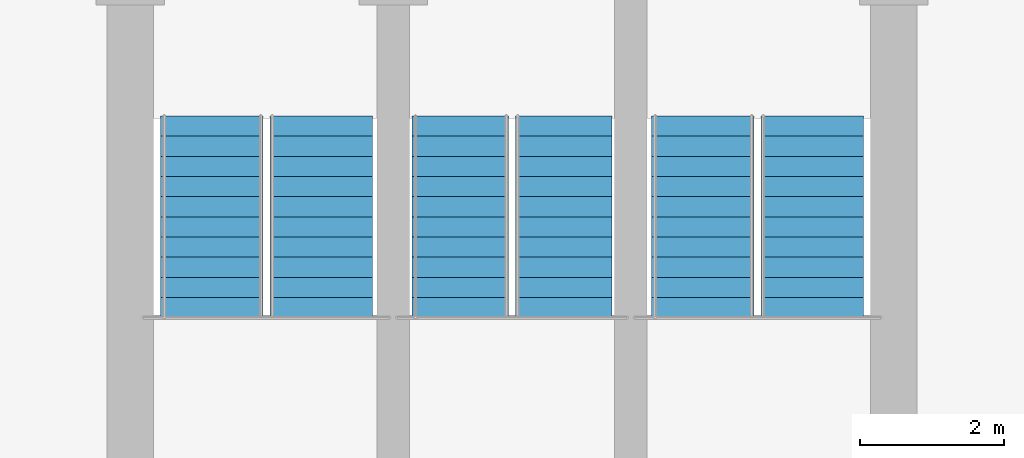
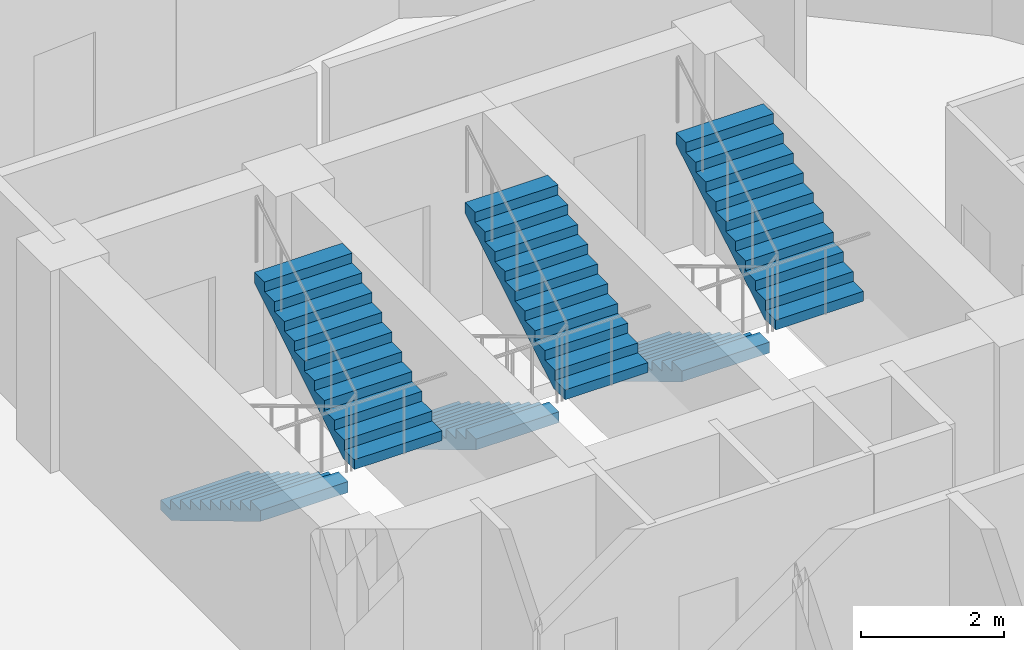
# One storey, part 25 of 26: 6 stair flights, 3 elements without a shape of their own.
"""IFC4 building model written with IfcOpenShell, lengths in metres."""

from ifc_helpers import new_model, si_unit, direction, frame, origin, place, context, subcontext, project, spatial, polyline, outline, extrude, material, type_object, element, aggregate, save


model = new_model("IFC4")

# Units and contexts
model_context = context("Model", 3, precision=1e-05, world=origin(), true_north=direction((0.0, 1.0)))
body_context = subcontext(model_context, "Body", "Model", "MODEL_VIEW")
ifc_project = project(units=[si_unit("LENGTHUNIT", "METRE"), si_unit("AREAUNIT", "SQUARE_METRE"), si_unit("VOLUMEUNIT", "CUBIC_METRE"), si_unit("PLANEANGLEUNIT", "RADIAN"), si_unit("MASSUNIT", "GRAM", prefix="KILO")], contexts=[model_context])

# Site, building, storey
site_placement = place(None, origin())
site = spatial("IfcSite", under=ifc_project, at=site_placement, CompositionType="ELEMENT")
building_placement = place(site_placement, origin())
building = spatial("IfcBuilding", under=site, at=building_placement, Name="Nuhasar Tower", CompositionType="ELEMENT")
storey_placement = place(building_placement, frame((0.0, 0.0, 170.050048828125)))
storey = spatial("IfcBuildingStorey", under=building, at=storey_placement, Name="L41", CompositionType="ELEMENT", Elevation=170.050048828125)

# Stair, stair flights
ifc_material = material(Name="Concrete C45/55", Category="concrete")
stair_type_1 = type_object("IfcStairType", Name="STR-ST-01-2F-22R-1682", PredefinedType="HALF_TURN_STAIR", material=ifc_material)
stair_1_placement = place(storey_placement, origin())
stair_1 = element("IfcStair", 1, at=stair_1_placement, inside=storey, type_object=stair_type_1, Name="L41 Exit Stair ST-01", PredefinedType="HALF_TURN_STAIR")
stair_flight_type_1 = type_object("IfcStairFlightType", Name="SFL-ST-01-11R-1682", PredefinedType="STRAIGHT", material=ifc_material)
stair_flight_1_placement = place(storey_placement, frame((34.830078125, 35.284912109375, 0.0), z_axis=(0.0, 0.0, 1.0), x_axis=(0.0, -1.0, 0.0)))
stair_flight_1 = element("IfcStairFlight", 2, at=stair_flight_1_placement, type_object=stair_flight_type_1, Name="ST-01 flight 1", NumberOfRisers=11, NumberOfTreads=10, PredefinedType="STRAIGHT", RiserHeight=0.168182, TreadLength=0.28, context=body_context, shape_type="SweptSolid", body=[
    extrude(outline(polyline([(0.0, 0.0), (0.0, 0.168212890625), (0.280029296875, 0.168212890625), (0.280029296875, 0.33642578125), (0.56005859375, 0.33642578125), (0.56005859375, 0.504638671875), (0.840087890625, 0.504638671875), (0.840087890625, 0.672607421875), (1.1201171875, 0.672607421875), (1.1201171875, 0.8408203125), (1.39990234375, 0.8408203125), (1.39990234375, 1.009033203125), (1.679931640625, 1.009033203125), (1.679931640625, 1.17724609375), (1.9599609375, 1.17724609375), (1.9599609375, 1.345458984375), (2.239990234375, 1.345458984375), (2.239990234375, 1.513671875), (2.52001953125, 1.513671875), (2.52001953125, 1.681884765625), (2.800048828125, 1.681884765625), (2.800048828125, 1.85009765625), (2.800048828125, 1.495361328125), (0.310546875, 0.0), (0.0, 0.0)])), frame((0.0, 0.7099609375, 0.0), z_axis=(0.0, -1.0, 0.0), x_axis=(1.0, 0.0, 0.0)), (0.0, 0.0, 1.0), 1.419921875),
])
stair_flight_2_placement = place(storey_placement, frame((36.35009765625, 32.485107421875, 1.849853515625), z_axis=(0.0, 0.0, 1.0), x_axis=(0.0, 1.0, 0.0)))
stair_flight_2 = element("IfcStairFlight", 3, at=stair_flight_2_placement, type_object=stair_flight_type_1, Name="ST-01 flight 2", NumberOfRisers=11, NumberOfTreads=10, PredefinedType="STRAIGHT", RiserHeight=0.168182, TreadLength=0.28, context=body_context, shape_type="SweptSolid", body=[
    extrude(outline(polyline([(0.0, 0.0), (0.0, 0.168212890625), (0.280029296875, 0.168212890625), (0.280029296875, 0.33642578125), (0.56005859375, 0.33642578125), (0.56005859375, 0.504638671875), (0.840087890625, 0.504638671875), (0.840087890625, 0.672607421875), (1.1201171875, 0.672607421875), (1.1201171875, 0.8408203125), (1.39990234375, 0.8408203125), (1.39990234375, 1.009033203125), (1.679931640625, 1.009033203125), (1.679931640625, 1.17724609375), (1.9599609375, 1.17724609375), (1.9599609375, 1.345458984375), (2.239990234375, 1.345458984375), (2.239990234375, 1.513671875), (2.52001953125, 1.513671875), (2.52001953125, 1.681884765625), (2.800048828125, 1.681884765625), (2.800048828125, 1.85009765625), (2.800048828125, 1.495361328125), (0.310546875, 0.0), (0.0, 0.0)])), frame((0.0, 0.7099609375, 0.0), z_axis=(0.0, -1.0, 0.0), x_axis=(1.0, 0.0, 0.0)), (0.0, 0.0, 1.0), 1.419921875),
])
aggregate(stair_1, [stair_flight_1, stair_flight_2])

stair_type_2 = type_object("IfcStairType", Name="STR-ST-02-2F-22R-1682", PredefinedType="HALF_TURN_STAIR", material=ifc_material)
stair_2_placement = place(storey_placement, origin())
stair_2 = element("IfcStair", 4, at=stair_2_placement, inside=storey, type_object=stair_type_2, Name="L41 Exit Stair ST-02", PredefinedType="HALF_TURN_STAIR")
stair_flight_type_2 = type_object("IfcStairFlightType", Name="SFL-ST-02-11R-1682", PredefinedType="STRAIGHT", material=ifc_material)
stair_flight_3_placement = place(storey_placement, frame((41.64990234375, 35.284912109375, 0.0), z_axis=(0.0, 0.0, 1.0), x_axis=(0.0, -1.0, 0.0)))
stair_flight_3 = element("IfcStairFlight", 5, at=stair_flight_3_placement, type_object=stair_flight_type_2, Name="ST-02 flight 1", NumberOfRisers=11, NumberOfTreads=10, PredefinedType="STRAIGHT", RiserHeight=0.168182, TreadLength=0.28, context=body_context, shape_type="SweptSolid", body=[
    extrude(outline(polyline([(0.0, 0.0), (0.0, 0.168212890625), (0.280029296875, 0.168212890625), (0.280029296875, 0.33642578125), (0.56005859375, 0.33642578125), (0.56005859375, 0.504638671875), (0.840087890625, 0.504638671875), (0.840087890625, 0.672607421875), (1.1201171875, 0.672607421875), (1.1201171875, 0.8408203125), (1.39990234375, 0.8408203125), (1.39990234375, 1.009033203125), (1.679931640625, 1.009033203125), (1.679931640625, 1.17724609375), (1.9599609375, 1.17724609375), (1.9599609375, 1.345458984375), (2.239990234375, 1.345458984375), (2.239990234375, 1.513671875), (2.52001953125, 1.513671875), (2.52001953125, 1.681884765625), (2.800048828125, 1.681884765625), (2.800048828125, 1.85009765625), (2.800048828125, 1.495361328125), (0.310546875, 0.0), (0.0, 0.0)])), frame((0.0, 0.7099609375, 0.0), z_axis=(0.0, -1.0, 0.0), x_axis=(1.0, 0.0, 0.0)), (0.0, 0.0, 1.0), 1.419921875),
])
stair_flight_4_placement = place(storey_placement, frame((43.169921875, 32.485107421875, 1.849853515625), z_axis=(0.0, 0.0, 1.0), x_axis=(0.0, 1.0, 0.0)))
stair_flight_4 = element("IfcStairFlight", 6, at=stair_flight_4_placement, type_object=stair_flight_type_2, Name="ST-02 flight 2", NumberOfRisers=11, NumberOfTreads=10, PredefinedType="STRAIGHT", RiserHeight=0.168182, TreadLength=0.28, context=body_context, shape_type="SweptSolid", body=[
    extrude(outline(polyline([(0.0, 0.0), (0.0, 0.168212890625), (0.280029296875, 0.168212890625), (0.280029296875, 0.33642578125), (0.56005859375, 0.33642578125), (0.56005859375, 0.504638671875), (0.840087890625, 0.504638671875), (0.840087890625, 0.672607421875), (1.1201171875, 0.672607421875), (1.1201171875, 0.8408203125), (1.39990234375, 0.8408203125), (1.39990234375, 1.009033203125), (1.679931640625, 1.009033203125), (1.679931640625, 1.17724609375), (1.9599609375, 1.17724609375), (1.9599609375, 1.345458984375), (2.239990234375, 1.345458984375), (2.239990234375, 1.513671875), (2.52001953125, 1.513671875), (2.52001953125, 1.681884765625), (2.800048828125, 1.681884765625), (2.800048828125, 1.85009765625), (2.800048828125, 1.495361328125), (0.310546875, 0.0), (0.0, 0.0)])), frame((0.0, 0.7099609375, 0.0), z_axis=(0.0, -1.0, 0.0), x_axis=(1.0, 0.0, 0.0)), (0.0, 0.0, 1.0), 1.419921875),
])
aggregate(stair_2, [stair_flight_3, stair_flight_4])

stair_type_3 = type_object("IfcStairType", Name="STR-ST-03-2F-22R-1682", PredefinedType="HALF_TURN_STAIR", material=ifc_material)
stair_3_placement = place(storey_placement, origin())
stair_3 = element("IfcStair", 7, at=stair_3_placement, inside=storey, type_object=stair_type_3, Name="L41 Exit Stair ST-03", PredefinedType="HALF_TURN_STAIR")
stair_flight_type_3 = type_object("IfcStairFlightType", Name="SFL-ST-03-11R-1682", PredefinedType="STRAIGHT", material=ifc_material)
stair_flight_5_placement = place(storey_placement, frame((38.280029296875, 35.284912109375, 0.0), z_axis=(0.0, 0.0, 1.0), x_axis=(0.0, -1.0, 0.0)))
stair_flight_5 = element("IfcStairFlight", 8, at=stair_flight_5_placement, type_object=stair_flight_type_3, Name="ST-03 flight 1", NumberOfRisers=11, NumberOfTreads=10, PredefinedType="STRAIGHT", RiserHeight=0.168182, TreadLength=0.28, context=body_context, shape_type="SweptSolid", body=[
    extrude(outline(polyline([(0.0, 0.0), (0.0, 0.168212890625), (0.280029296875, 0.168212890625), (0.280029296875, 0.33642578125), (0.56005859375, 0.33642578125), (0.56005859375, 0.504638671875), (0.840087890625, 0.504638671875), (0.840087890625, 0.672607421875), (1.1201171875, 0.672607421875), (1.1201171875, 0.8408203125), (1.39990234375, 0.8408203125), (1.39990234375, 1.009033203125), (1.679931640625, 1.009033203125), (1.679931640625, 1.17724609375), (1.9599609375, 1.17724609375), (1.9599609375, 1.345458984375), (2.239990234375, 1.345458984375), (2.239990234375, 1.513671875), (2.52001953125, 1.513671875), (2.52001953125, 1.681884765625), (2.800048828125, 1.681884765625), (2.800048828125, 1.85009765625), (2.800048828125, 1.495361328125), (0.310546875, 0.0), (0.0, 0.0)])), frame((0.0, 0.669921875, 0.0), z_axis=(0.0, -1.0, 0.0), x_axis=(1.0, 0.0, 0.0)), (0.0, 0.0, 1.0), 1.340087890625),
])
stair_flight_6_placement = place(storey_placement, frame((39.719970703125, 32.485107421875, 1.849853515625), z_axis=(0.0, 0.0, 1.0), x_axis=(0.0, 1.0, 0.0)))
stair_flight_6 = element("IfcStairFlight", 9, at=stair_flight_6_placement, type_object=stair_flight_type_3, Name="ST-03 flight 2", NumberOfRisers=11, NumberOfTreads=10, PredefinedType="STRAIGHT", RiserHeight=0.168182, TreadLength=0.28, context=body_context, shape_type="SweptSolid", body=[
    extrude(outline(polyline([(0.0, 0.0), (0.0, 0.168212890625), (0.280029296875, 0.168212890625), (0.280029296875, 0.33642578125), (0.56005859375, 0.33642578125), (0.56005859375, 0.504638671875), (0.840087890625, 0.504638671875), (0.840087890625, 0.672607421875), (1.1201171875, 0.672607421875), (1.1201171875, 0.8408203125), (1.39990234375, 0.8408203125), (1.39990234375, 1.009033203125), (1.679931640625, 1.009033203125), (1.679931640625, 1.17724609375), (1.9599609375, 1.17724609375), (1.9599609375, 1.345458984375), (2.239990234375, 1.345458984375), (2.239990234375, 1.513671875), (2.52001953125, 1.513671875), (2.52001953125, 1.681884765625), (2.800048828125, 1.681884765625), (2.800048828125, 1.85009765625), (2.800048828125, 1.495361328125), (0.310546875, 0.0), (0.0, 0.0)])), frame((0.0, 0.669921875, 0.0), z_axis=(0.0, -1.0, 0.0), x_axis=(1.0, 0.0, 0.0)), (0.0, 0.0, 1.0), 1.340087890625),
])
aggregate(stair_3, [stair_flight_5, stair_flight_6])

save(model, "model.ifc")
